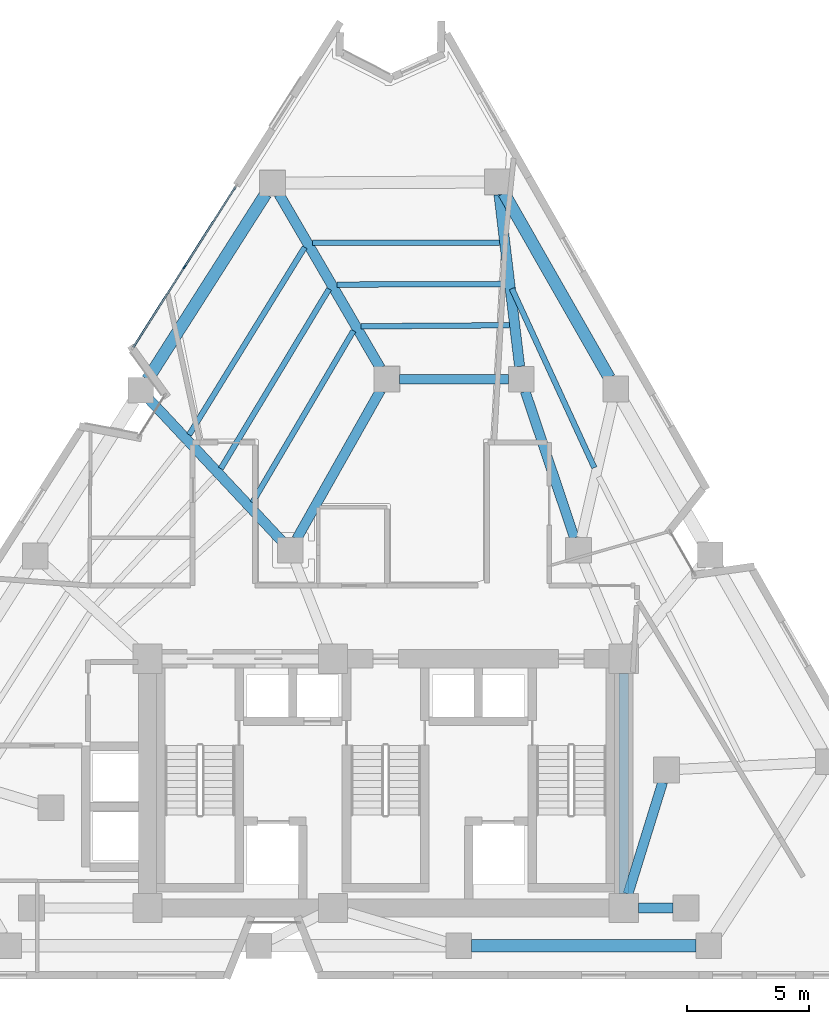
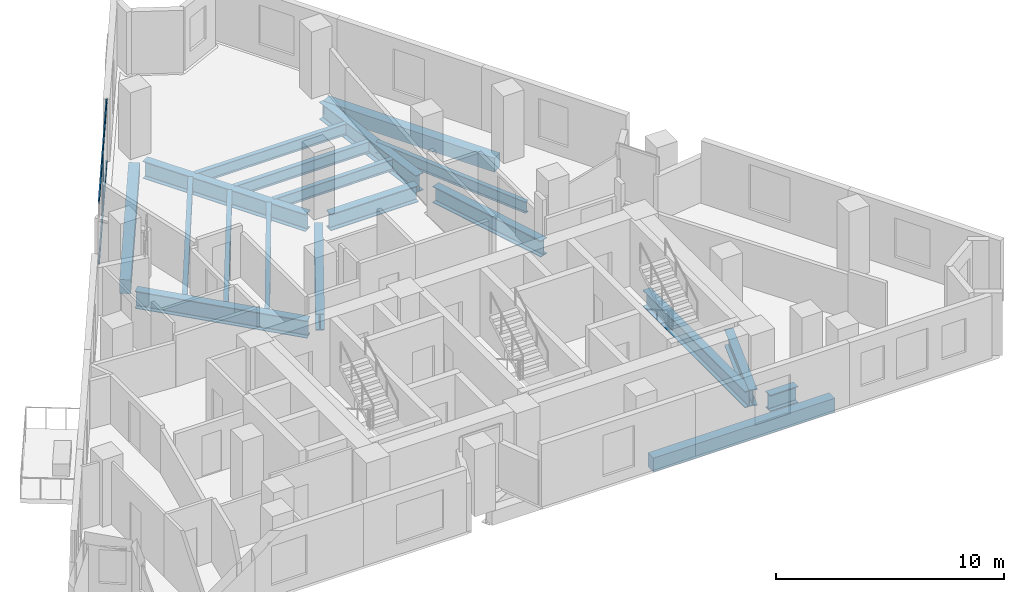
# One storey, part 3 of 11: 19 beams, 5 members, 1 element without a shape of its own.
"""IFC4 building model written with IfcOpenShell, lengths in metres."""

from ifc_helpers import new_model, si_unit, direction, frame, origin, origin_2d, place, context, subcontext, project, spatial, rectangle, i_section, extrude, material, layer, layer_set, material_profile, profile_set, type_object, element, aggregate, save


model = new_model("IFC4")

# Units and contexts
model_context = context("Model", 3, precision=1e-05, world=origin(), true_north=direction((0.0, 1.0)))
body_context = subcontext(model_context, "Body", "Model", "MODEL_VIEW")
ifc_project = project(units=[si_unit("LENGTHUNIT", "METRE"), si_unit("AREAUNIT", "SQUARE_METRE"), si_unit("VOLUMEUNIT", "CUBIC_METRE"), si_unit("PLANEANGLEUNIT", "RADIAN"), si_unit("MASSUNIT", "GRAM", prefix="KILO")], contexts=[model_context])

# Site, building, storey
site_placement = place(None, origin())
site = spatial("IfcSite", under=ifc_project, at=site_placement, CompositionType="ELEMENT")
building_placement = place(site_placement, origin())
building = spatial("IfcBuilding", under=site, at=building_placement, Name="Almagre Mirador Tower", CompositionType="ELEMENT")
storey_placement = place(building_placement, frame((0.0, 0.0, 142.800048828125)))
storey = spatial("IfcBuildingStorey", under=building, at=storey_placement, Name="L36", CompositionType="ELEMENT", Elevation=142.800048828125)

# Beams
ifc_material_1 = material(Name="Steel ASTM A992 Grade 50", Category="steel")
ifc_material_profile_1 = material_profile(ifc_material_1, i_section(OverallWidth=0.22802734375, OverallDepth=0.60791015625, WebThickness=0.01123046875, FlangeThickness=0.017333984375, FilletRadius=0.02001953125, at=origin_2d()), Name="W24X76")
ifc_profile_set_1 = profile_set([ifc_material_profile_1], Name="Steel ASTM A992 Grade 50")
beam_type_1 = type_object("IfcBeamType", Name="BM-JST-W24X76", PredefinedType="JOIST", material=ifc_profile_set_1)
beam_1_placement = place(storey_placement, frame((45.847900390625, 22.576904296875, -0.553955078125), z_axis=(-0.418457733438, 0.908236271752, 0.0), x_axis=(-0.908236271752, -0.418457733438, 0.0)))
element("IfcBeam", 1, at=beam_1_placement, inside=storey, type_object=beam_type_1, Name="L36 secondary floor joist PC07-PC08.2", PredefinedType="JOIST", context=body_context, shape_type="SweptSolid", body=[
    extrude(i_section(OverallWidth=0.22802734375, OverallDepth=0.60791015625, WebThickness=0.01123046875, FlangeThickness=0.017333984375, FilletRadius=0.02001953125, at=origin_2d()), origin(), (0.0, 0.0, 1.0), 8.07177734375),
])
beam_2_placement = place(storey_placement, frame((41.971435546875, 31.785888671875, -0.553955078125), z_axis=(-0.999999707769, -0.000764501417, 0.0), x_axis=(0.000764501417, -0.999999707769, 0.0)))
element("IfcBeam", 2, at=beam_2_placement, inside=storey, type_object=beam_type_1, Name="L36 secondary floor joist PC08-PC09.1", PredefinedType="JOIST", context=body_context, shape_type="SweptSolid", body=[
    extrude(i_section(OverallWidth=0.22802734375, OverallDepth=0.60791015625, WebThickness=0.01123046875, FlangeThickness=0.017333984375, FilletRadius=0.02001953125, at=origin_2d()), origin(), (0.0, 0.0, 1.0), 7.664306640625),
])
beam_3_placement = place(storey_placement, frame((42.173828125, 30.096923828125, -0.553955078125), z_axis=(-0.999993432119, -0.00362432328, 0.0), x_axis=(0.00362432328, -0.999993432119, 0.0)))
element("IfcBeam", 3, at=beam_3_placement, inside=storey, type_object=beam_type_1, Name="L36 secondary floor joist PC08-PC09.2", PredefinedType="JOIST", context=body_context, shape_type="SweptSolid", body=[
    extrude(i_section(OverallWidth=0.22802734375, OverallDepth=0.60791015625, WebThickness=0.01123046875, FlangeThickness=0.017333984375, FilletRadius=0.02001953125, at=origin_2d()), origin(), (0.0, 0.0, 1.0), 6.870849609375),
])
beam_4_placement = place(storey_placement, frame((42.376220703125, 28.407958984375, -0.553955078125), z_axis=(-0.999973857717, -0.007230759426, 0.0), x_axis=(0.007230759426, -0.999973857717, 0.0)))
element("IfcBeam", 4, at=beam_4_placement, inside=storey, type_object=beam_type_1, Name="L36 secondary floor joist PC08-PC09.3", PredefinedType="JOIST", context=body_context, shape_type="SweptSolid", body=[
    extrude(i_section(OverallWidth=0.22802734375, OverallDepth=0.60791015625, WebThickness=0.01123046875, FlangeThickness=0.017333984375, FilletRadius=0.02001953125, at=origin_2d()), origin(), (0.0, 0.0, 1.0), 6.07763671875),
])
beam_5_placement = place(storey_placement, frame((33.988525390625, 31.601806640625, -0.553955078125), z_axis=(-0.524723978191, -0.851272428022, 0.0), x_axis=(0.851272428022, -0.524723978191, 0.0)))
element("IfcBeam", 5, at=beam_5_placement, inside=storey, type_object=beam_type_1, Name="L36 secondary floor joist PC09-PC10.1", PredefinedType="JOIST", context=body_context, shape_type="SweptSolid", body=[
    extrude(i_section(OverallWidth=0.22802734375, OverallDepth=0.60791015625, WebThickness=0.01123046875, FlangeThickness=0.017333984375, FilletRadius=0.02001953125, at=origin_2d()), origin(), (0.0, 0.0, 1.0), 9.020263671875),
])
beam_6_placement = place(storey_placement, frame((34.986083984375, 29.89208984375, -0.553955078125), z_axis=(-0.516288028527, -0.856415011311, 0.0), x_axis=(0.856415011311, -0.516288028527, 0.0)))
element("IfcBeam", 6, at=beam_6_placement, inside=storey, type_object=beam_type_1, Name="L36 secondary floor joist PC09-PC10.2", PredefinedType="JOIST", context=body_context, shape_type="SweptSolid", body=[
    extrude(i_section(OverallWidth=0.22802734375, OverallDepth=0.60791015625, WebThickness=0.01123046875, FlangeThickness=0.017333984375, FilletRadius=0.02001953125, at=origin_2d()), origin(), (0.0, 0.0, 1.0), 8.58837890625),
])
beam_7_placement = place(storey_placement, frame((35.98388671875, 28.18212890625, -0.553955078125), z_axis=(-0.506949493814, -0.861975759939, 0.0), x_axis=(0.861975759939, -0.506949493814, 0.0)))
element("IfcBeam", 7, at=beam_7_placement, inside=storey, type_object=beam_type_1, Name="L36 secondary floor joist PC09-PC10.3", PredefinedType="JOIST", context=body_context, shape_type="SweptSolid", body=[
    extrude(i_section(OverallWidth=0.22802734375, OverallDepth=0.60791015625, WebThickness=0.01123046875, FlangeThickness=0.017333984375, FilletRadius=0.02001953125, at=origin_2d()), origin(), (0.0, 0.0, 1.0), 8.1572265625),
])
ifc_material_2 = material(Name="Precast concrete C50/60", Category="concrete")
ifc_material_profile_2 = material_profile(ifc_material_2, rectangle(XDim=0.5, YDim=0.75, at=origin_2d()), Name="RC500X750")
ifc_profile_set_2 = profile_set([ifc_material_profile_2], Name="Precast concrete C50/60")
beam_type_2 = type_object("IfcBeamType", Name="BM-SPN-RC500X750", PredefinedType="SPANDREL", material=ifc_profile_set_2)
beam_8_placement = place(storey_placement, frame((40.821044921875, 3.0, -0.625), z_axis=(1.0, 0.0, 0.0), x_axis=(0.0, 1.0, 0.0)))
element("IfcBeam", 8, at=beam_8_placement, inside=storey, type_object=beam_type_2, Name="L36 perimeter spandrel beam PC03-PC04", PredefinedType="SPANDREL", context=body_context, shape_type="SweptSolid", body=[
    extrude(rectangle(XDim=0.5, YDim=0.75, at=origin_2d()), origin(), (0.0, 0.0, 1.0), 9.18994140625),
])
beam_9_placement = place(storey_placement, frame((46.4619140625, 26.2529296875, -0.625), z_axis=(-0.495722514223, 0.868480966339, 0.0), x_axis=(-0.868480966339, -0.495722514223, 0.0)))
element("IfcBeam", 9, at=beam_9_placement, inside=storey, type_object=beam_type_2, Name="L36 perimeter spandrel beam PC07-PC08", PredefinedType="SPANDREL", context=body_context, shape_type="SweptSolid", body=[
    extrude(rectangle(XDim=0.5, YDim=0.75, at=origin_2d()), origin(), (0.0, 0.0, 1.0), 8.714111328125),
])
beam_10_placement = place(storey_placement, frame((32.389892578125, 33.7841796875, -0.625), z_axis=(-0.53711935681, -0.84350625163, 0.0), x_axis=(0.84350625163, -0.53711935681, 0.0)))
element("IfcBeam", 10, at=beam_10_placement, inside=storey, type_object=beam_type_2, Name="L36 perimeter spandrel beam PC09-PC10", PredefinedType="SPANDREL", context=body_context, shape_type="SweptSolid", body=[
    extrude(rectangle(XDim=0.5, YDim=0.75, at=origin_2d()), origin(), (0.0, 0.0, 1.0), 9.00341796875),
])
ifc_material_3 = material(Name="Steel ASTM A992 Grade 50", Category="steel")
ifc_material_profile_3 = material_profile(ifc_material_3, i_section(OverallWidth=0.404052734375, OverallDepth=0.884033203125, WebThickness=0.0244140625, FlangeThickness=0.0439453125, FilletRadius=0.02490234375, at=origin_2d()), Name="W33X291")
ifc_profile_set_3 = profile_set([ifc_material_profile_3], Name="Steel ASTM A992 Grade 50")
beam_type_3 = type_object("IfcBeamType", Name="BM-STL-W33X291", PredefinedType="BEAM", material=ifc_profile_set_3)
beam_11_placement = place(storey_placement, frame((37.875, 26.199951171875, -0.692138671875), z_axis=(1.0, 0.0, 0.0), x_axis=(0.0, 1.0, 0.0)))
element("IfcBeam", 11, at=beam_11_placement, inside=storey, type_object=beam_type_3, Name="L36 core tie girder MC7-MC6", PredefinedType="BEAM", context=body_context, shape_type="SweptSolid", body=[
    extrude(i_section(OverallWidth=0.404052734375, OverallDepth=0.884033203125, WebThickness=0.0244140625, FlangeThickness=0.0439453125, FilletRadius=0.02490234375, at=origin_2d()), origin(), (0.0, 0.0, 1.0), 4.449951171875),
])
beam_12_placement = place(storey_placement, frame((47.050048828125, 5.14990234375, -0.692138671875), z_axis=(0.0, 1.0, 0.0), x_axis=(-1.0, 0.0, 0.0)))
element("IfcBeam", 12, at=beam_12_placement, inside=storey, type_object=beam_type_3, Name="L36 core tie girder CC3-CC6", PredefinedType="BEAM", context=body_context, shape_type="SweptSolid", body=[
    extrude(i_section(OverallWidth=0.404052734375, OverallDepth=0.884033203125, WebThickness=0.0244140625, FlangeThickness=0.0439453125, FilletRadius=0.02490234375, at=origin_2d()), origin(), (0.0, 0.0, 1.0), 9.0),
])
beam_13_placement = place(storey_placement, frame((49.074951171875, 4.550048828125, -0.692138671875), z_axis=(-1.0, 0.0, 0.0), x_axis=(0.0, -1.0, 0.0)))
element("IfcBeam", 13, at=beam_13_placement, inside=storey, type_object=beam_type_3, Name="L36 core tie girder MC2-CC3", PredefinedType="BEAM", context=body_context, shape_type="SweptSolid", body=[
    extrude(i_section(OverallWidth=0.404052734375, OverallDepth=0.884033203125, WebThickness=0.0244140625, FlangeThickness=0.0439453125, FilletRadius=0.02490234375, at=origin_2d()), origin(), (0.0, 0.0, 1.0), 1.425048828125),
])
beam_14_placement = place(storey_placement, frame((48.644775390625, 9.698486328125, -0.692138671875), z_axis=(-0.295879743348, -0.955225197258, 0.0), x_axis=(0.955225197258, -0.295879743348, 0.0)))
element("IfcBeam", 14, at=beam_14_placement, inside=storey, type_object=beam_type_3, Name="L36 core tie girder MC3-CC3", PredefinedType="BEAM", context=body_context, shape_type="SweptSolid", body=[
    extrude(i_section(OverallWidth=0.404052734375, OverallDepth=0.884033203125, WebThickness=0.0244140625, FlangeThickness=0.0439453125, FilletRadius=0.02490234375, at=origin_2d()), origin(), (0.0, 0.0, 1.0), 4.789794921875),
])
beam_15_placement = place(storey_placement, frame((43.01708984375, 25.702392578125, -0.692138671875), z_axis=(0.318262189587, -0.948002731367, 0.0), x_axis=(0.948002731367, 0.318262189587, 0.0)))
element("IfcBeam", 15, at=beam_15_placement, inside=storey, type_object=beam_type_3, Name="L36 core tie girder MC6-MC5", PredefinedType="BEAM", context=body_context, shape_type="SweptSolid", body=[
    extrude(i_section(OverallWidth=0.404052734375, OverallDepth=0.884033203125, WebThickness=0.0244140625, FlangeThickness=0.0439453125, FilletRadius=0.02490234375, at=origin_2d()), origin(), (0.0, 0.0, 1.0), 6.333984375),
])
beam_16_placement = place(storey_placement, frame((37.092041015625, 25.742919921875, -0.692138671875), z_axis=(-0.491443510044, -0.870909453638, 0.0), x_axis=(0.870909453638, -0.491443510044, 0.0)))
element("IfcBeam", 16, at=beam_16_placement, inside=storey, type_object=beam_type_3, Name="L36 core tie girder MC7-MC8", PredefinedType="BEAM", context=body_context, shape_type="SweptSolid", body=[
    extrude(i_section(OverallWidth=0.404052734375, OverallDepth=0.884033203125, WebThickness=0.0244140625, FlangeThickness=0.0439453125, FilletRadius=0.02490234375, at=origin_2d()), origin(), (0.0, 0.0, 1.0), 6.98779296875),
])
ifc_material_4 = material(Name="Steel ASTM A992 Grade 50", Category="steel")
ifc_material_profile_4 = material_profile(ifc_material_4, i_section(OverallWidth=0.41796875, OverallDepth=0.927001953125, WebThickness=0.019287109375, FlangeThickness=0.031982421875, FilletRadius=0.028076171875, at=origin_2d()), Name="W36X231")
ifc_profile_set_4 = profile_set([ifc_material_profile_4], Name="Steel ASTM A992 Grade 50")
beam_type_4 = type_object("IfcBeamType", Name="BM-STL-W36X231", PredefinedType="BEAM", material=ifc_profile_set_4)
beam_17_placement = place(storey_placement, frame((41.944580078125, 33.755615234375, -0.713623046875), z_axis=(0.118990312316, -0.992895415225, 0.0), x_axis=(0.992895415225, 0.118990312316, 0.0)))
element("IfcBeam", 17, at=beam_17_placement, inside=storey, type_object=beam_type_4, Name="L36 radial floor girder PC08-MC6", PredefinedType="BEAM", context=body_context, shape_type="SweptSolid", body=[
    extrude(i_section(OverallWidth=0.41796875, OverallDepth=0.927001953125, WebThickness=0.019287109375, FlangeThickness=0.031982421875, FilletRadius=0.028076171875, at=origin_2d()), origin(), (0.0, 0.0, 1.0), 7.084716796875),
])
beam_18_placement = place(storey_placement, frame((32.936279296875, 33.7734375, -0.713623046875), z_axis=(0.503522841175, -0.863981914403, 0.0), x_axis=(0.863981914403, 0.503522841175, 0.0)))
element("IfcBeam", 18, at=beam_18_placement, inside=storey, type_object=beam_type_4, Name="L36 radial floor girder PC09-MC7", PredefinedType="BEAM", context=body_context, shape_type="SweptSolid", body=[
    extrude(i_section(OverallWidth=0.41796875, OverallDepth=0.927001953125, WebThickness=0.019287109375, FlangeThickness=0.031982421875, FilletRadius=0.028076171875, at=origin_2d()), origin(), (0.0, 0.0, 1.0), 8.24072265625),
])
beam_19_placement = place(storey_placement, frame((27.630859375, 25.36376953125, -0.713623046875), z_axis=(0.683347013073, -0.730093733519, 0.0), x_axis=(0.730093733519, 0.683347013073, 0.0)))
element("IfcBeam", 19, at=beam_19_placement, inside=storey, type_object=beam_type_4, Name="L36 radial floor girder PC10-MC8", PredefinedType="BEAM", context=body_context, shape_type="SweptSolid", body=[
    extrude(i_section(OverallWidth=0.41796875, OverallDepth=0.927001953125, WebThickness=0.019287109375, FlangeThickness=0.031982421875, FilletRadius=0.028076171875, at=origin_2d()), origin(), (0.0, 0.0, 1.0), 7.91748046875),
])

# Curtain wall, members
ifc_material_5 = material(Name="Black anodized aluminium", Category="aluminium")
ifc_layer = layer(ifc_material_5, 0.199951171875)
ifc_layer_set = layer_set([ifc_layer], Name="Black anodized aluminium")
curtain_wall_type = type_object("IfcCurtainWallType", Name="CW-RES-H-SYS", PredefinedType="NOTDEFINED", material=ifc_layer_set)
curtain_wall_placement = place(storey_placement, origin())
curtain_wall = element("IfcCurtainWall", 20, at=curtain_wall_placement, inside=storey, type_object=curtain_wall_type, Name="L36 curtain wall run 02", PredefinedType="NOTDEFINED")
ifc_material_6 = material(Name="Black anodized aluminium", Category="aluminium")
ifc_material_profile_5 = material_profile(ifc_material_6, rectangle(XDim=0.06494140625, YDim=0.179931640625, at=origin_2d()), Name="CWM65X180")
ifc_profile_set_5 = profile_set([ifc_material_profile_5], Name="Black anodized aluminium")
member_type_1 = type_object("IfcMemberType", Name="MBR-CWM65X180", PredefinedType="MULLION", material=ifc_profile_set_5)
member_1_placement = place(storey_placement, frame((29.0654296875, 30.7978515625, 0.0), z_axis=(0.0, 0.0, 1.0), x_axis=(-0.843513390766, 0.537108145162, 0.0)))
member_1 = element("IfcMember", 21, at=member_1_placement, type_object=member_type_1, Name="CW-3 mullion 2", PredefinedType="MULLION", context=body_context, shape_type="SweptSolid", body=[
    extrude(rectangle(XDim=0.06494140625, YDim=0.179931640625, at=origin_2d()), origin(), (0.0, 0.0, 1.0), 3.349853515625),
])
ifc_material_7 = material(Name="Black anodized aluminium", Category="aluminium")
ifc_material_profile_6 = material_profile(ifc_material_7, rectangle(XDim=0.06494140625, YDim=0.14990234375, at=origin_2d()), Name="CWT65X150")
ifc_profile_set_6 = profile_set([ifc_material_profile_6], Name="Black anodized aluminium")
member_type_2 = type_object("IfcMemberType", Name="MBR-CWT65X150", PredefinedType="USERDEFINED", material=ifc_profile_set_6)
member_2_placement = place(storey_placement, frame((26.971923828125, 27.509765625, 0.032470703125), z_axis=(0.537116594629, 0.843508010498, 0.0), x_axis=(-0.843508010498, 0.537116594629, 0.0)))
member_2 = element("IfcMember", 22, at=member_2_placement, type_object=member_type_2, Name="CW-3 transom 1.1", ObjectType="TRANSOM", PredefinedType="USERDEFINED", context=body_context, shape_type="SweptSolid", body=[
    extrude(rectangle(XDim=0.06494140625, YDim=0.14990234375, at=origin_2d()), origin(), (0.0, 0.0, 1.0), 3.865478515625),
])
member_3_placement = place(storey_placement, frame((26.971923828125, 27.509765625, 3.3173828125), z_axis=(0.537116594629, 0.843508010498, 0.0), x_axis=(-0.843508010498, 0.537116594629, 0.0)))
member_3 = element("IfcMember", 23, at=member_3_placement, type_object=member_type_2, Name="CW-3 transom 1.2", ObjectType="TRANSOM", PredefinedType="USERDEFINED", context=body_context, shape_type="SweptSolid", body=[
    extrude(rectangle(XDim=0.06494140625, YDim=0.14990234375, at=origin_2d()), origin(), (0.0, 0.0, 1.0), 3.865478515625),
])
member_4_placement = place(storey_placement, frame((29.0830078125, 30.8251953125, 0.032470703125), z_axis=(0.537116594629, 0.843508010498, 0.0), x_axis=(-0.843508010498, 0.537116594629, 0.0)))
member_4 = element("IfcMember", 24, at=member_4_placement, type_object=member_type_2, Name="CW-3 transom 2.1", ObjectType="TRANSOM", PredefinedType="USERDEFINED", context=body_context, shape_type="SweptSolid", body=[
    extrude(rectangle(XDim=0.06494140625, YDim=0.14990234375, at=origin_2d()), origin(), (0.0, 0.0, 1.0), 3.865478515625),
])
member_5_placement = place(storey_placement, frame((29.0830078125, 30.8251953125, 3.3173828125), z_axis=(0.537116594629, 0.843508010498, 0.0), x_axis=(-0.843508010498, 0.537116594629, 0.0)))
member_5 = element("IfcMember", 25, at=member_5_placement, type_object=member_type_2, Name="CW-3 transom 2.2", ObjectType="TRANSOM", PredefinedType="USERDEFINED", context=body_context, shape_type="SweptSolid", body=[
    extrude(rectangle(XDim=0.06494140625, YDim=0.14990234375, at=origin_2d()), origin(), (0.0, 0.0, 1.0), 3.865478515625),
])
aggregate(curtain_wall, [member_1, member_2, member_3, member_4, member_5])

save(model, "model.ifc")
